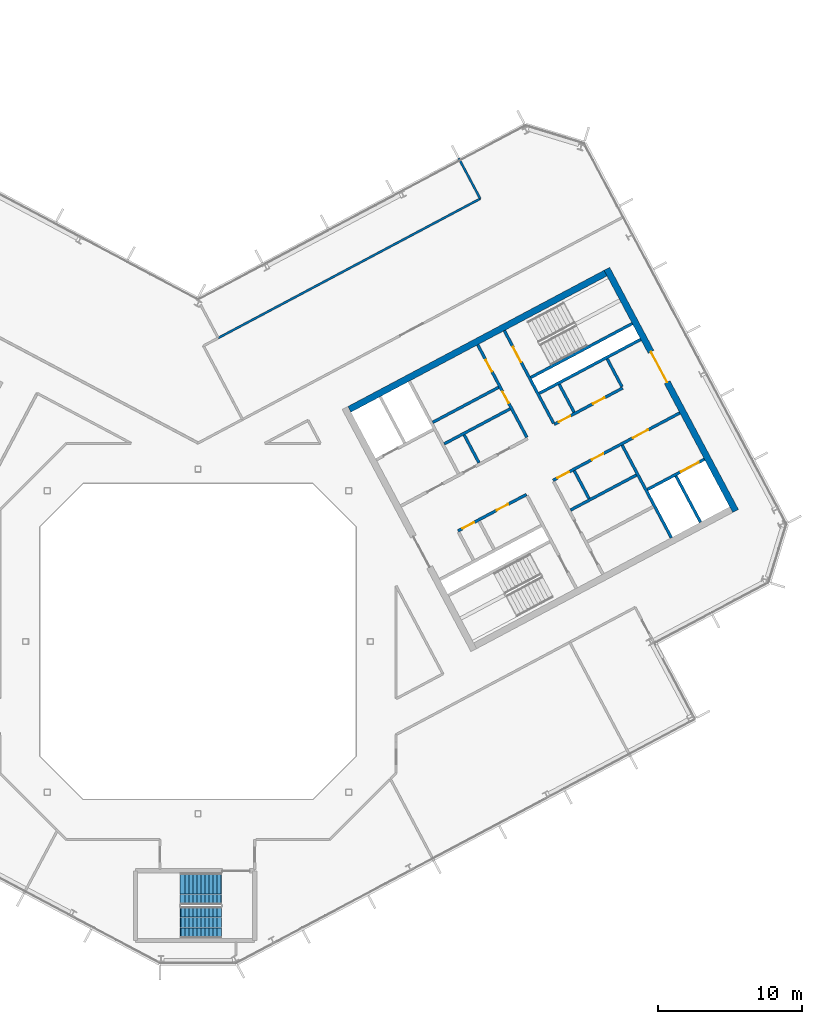
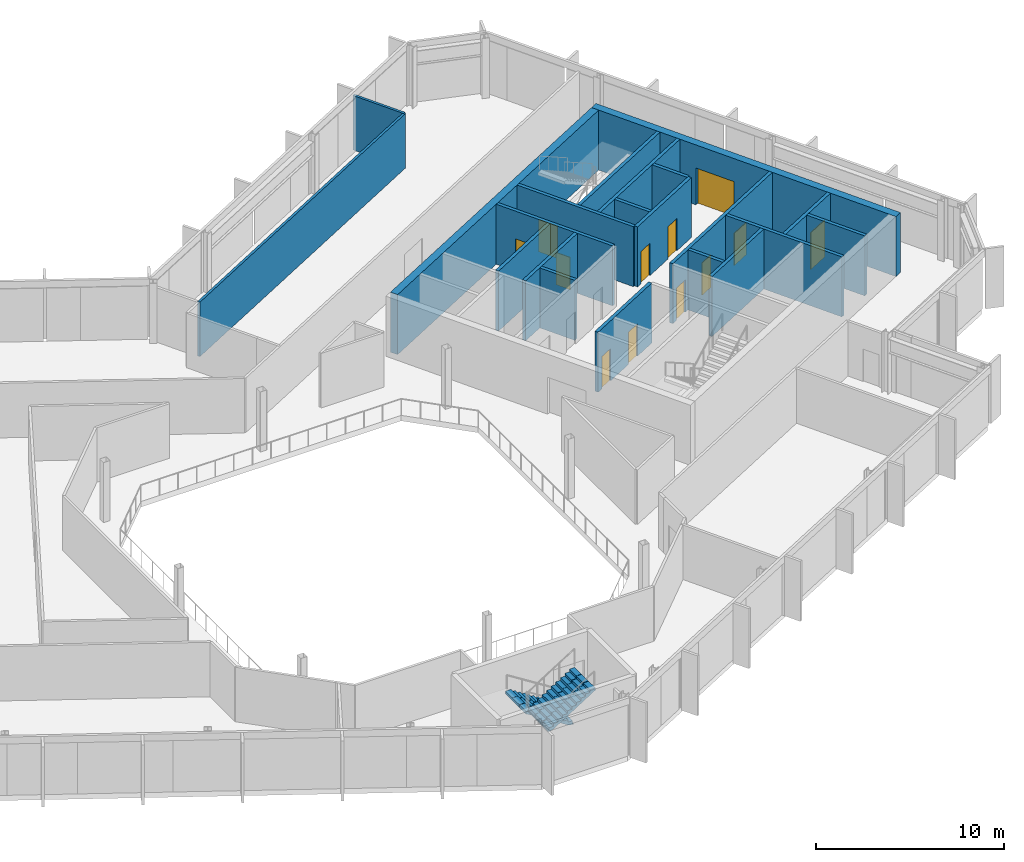
# One storey, part 16 of 25: 21 walls, 12 doors, 2 stair flights, 12 openings, 1 element without a shape of its own.
"""IFC4 building model written with IfcOpenShell, lengths in metres."""

from ifc_helpers import new_model, si_unit, direction, frame, frame_2d, origin, place, context, subcontext, project, spatial, polyline, rectangle, outline, extrude, material, layer, layer_set, type_object, element, fill, aggregate, save


model = new_model("IFC4")

# Units and contexts
model_context = context("Model", 3, precision=1e-05, world=origin(), true_north=direction((0.0, 1.0)))
body_context = subcontext(model_context, "Body", "Model", "MODEL_VIEW")
ifc_project = project(units=[si_unit("LENGTHUNIT", "METRE"), si_unit("AREAUNIT", "SQUARE_METRE"), si_unit("VOLUMEUNIT", "CUBIC_METRE"), si_unit("PLANEANGLEUNIT", "RADIAN"), si_unit("MASSUNIT", "GRAM", prefix="KILO")], contexts=[model_context])

# Site, building, storey
site_placement = place(None, origin())
site = spatial("IfcSite", under=ifc_project, at=site_placement, CompositionType="ELEMENT")
building_placement = place(site_placement, origin())
building = spatial("IfcBuilding", under=site, at=building_placement, Name="Cormorant Relay Tower", CompositionType="ELEMENT")
storey_placement = place(building_placement, frame((0.0, 0.0, 273.60009765625)))
storey = spatial("IfcBuildingStorey", under=building, at=storey_placement, Name="L61", CompositionType="ELEMENT", Elevation=273.60009765625)

# Walls
ifc_material_1 = material(Name="Concrete 40 MPa", Category="concrete")
ifc_layer_1 = layer(ifc_material_1, 0.199951171875)
ifc_layer_set_1 = layer_set([ifc_layer_1], Name="Core internal wall 200")
wall_type_1 = type_object("IfcWallType", Name="Core internal wall 200", PredefinedType="SOLIDWALL", material=ifc_layer_set_1)
for number, where, z_axis, x_axis, name in (
    (1, (19.568603515625, 12.443603515625, 0.0), (0.0, 0.0, 1.0), (-0.4694473164, 0.882960484464, 0.0), "L61 core B shaft and room wall"),
    (2, (27.236083984375, 9.951416015625, 0.0), (0.0, 0.0, 1.0), (-0.4694473164, 0.882960484464, 0.0), "L61 core B shaft and room wall"),
    (3, (26.19091796875, 15.964599609375, 0.0), (0.0, 0.0, 1.0), (-0.469533832133, 0.882914480843, 0.0), "L61 core B shaft and room wall"),
):
    element("IfcWall", number, at=place(storey_placement, frame(where, z_axis=z_axis, x_axis=x_axis)), inside=storey, type_object=wall_type_1, Name=name, PredefinedType="SOLIDWALL", context=body_context, shape_type="SweptSolid", body=[
        extrude(rectangle(XDim=2.199951171875, YDim=0.199951171875, at=frame_2d((1.10009765625, 0.0))), origin(), (0.0, 0.0, 1.0), 3.89990234375),
    ])
wall_1_placement = place(storey_placement, frame((16.3486328125, 15.26171875, 0.0), z_axis=(0.0, 0.0, 1.0), x_axis=(0.882953967957, 0.469459572775, 0.0)))
element("IfcWall", 4, at=wall_1_placement, inside=storey, type_object=wall_type_1, Name="L61 core B shaft and room wall", PredefinedType="SOLIDWALL", context=body_context, shape_type="SweptSolid", body=[
    extrude(rectangle(XDim=5.199951171875, YDim=0.199951171875, at=frame_2d((2.60009765625, 0.0))), origin(), (0.0, 0.0, 1.0), 3.89990234375),
])

# Wall, openings, doors
ifc_material_2 = material(Name="Concrete 50 MPa", Category="concrete")
ifc_layer_2 = layer(ifc_material_2, 0.199951171875)
ifc_layer_set_2 = layer_set([ifc_layer_2], Name="Core shaft wall 200")
wall_type_2 = type_object("IfcWallType", Name="Core shaft wall 200", PredefinedType="SHEAR", material=ifc_layer_set_2)
wall_2_placement = place(storey_placement, frame((22.90625, 14.218017578125, 0.0), z_axis=(0.0, 0.0, 1.0), x_axis=(-0.469480409012, 0.88294288918, 0.0)))
wall_2 = element("IfcWall", 5, at=wall_2_placement, inside=storey, type_object=wall_type_2, Name="L61 core B shaft wall", PredefinedType="SHEAR", context=body_context, shape_type="SweptSolid", body=[
    extrude(rectangle(XDim=7.300048828125, YDim=0.199951171875, at=frame_2d((3.64990234375, 0.0))), origin(), (0.0, 0.0, 1.0), 3.89990234375),
])
opening_1_placement = place(wall_2_placement, frame((2.699951171875, 0.0, 0.0)))
opening_1 = element("IfcOpeningElement", 6, at=opening_1_placement, cuts=wall_2, Name="Opening CDD-326", PredefinedType="OPENING", context=body_context, shape_type="SweptSolid", body=[
    extrude(rectangle(XDim=0.89990234375, YDim=2.10009765625, at=frame_2d((0.449951171875, 1.050048828125))), frame((0.0, 0.10986328125, 0.0), z_axis=(0.0, -1.0, 0.0), x_axis=(1.0, 0.0, 0.0)), (0.0, 0.0, 1.0), 0.219970703125),
])
opening_2_placement = place(wall_2_placement, frame((5.199951171875, 0.0, 0.0)))
opening_2 = element("IfcOpeningElement", 7, at=opening_2_placement, cuts=wall_2, Name="Opening CDD-327", PredefinedType="OPENING", context=body_context, shape_type="SweptSolid", body=[
    extrude(rectangle(XDim=0.89990234375, YDim=2.10009765625, at=frame_2d((0.449951171875, 1.050048828125))), frame((0.0, 0.10986328125, 0.0), z_axis=(0.0, -1.0, 0.0), x_axis=(1.0, 0.0, 0.0)), (0.0, 0.0, 1.0), 0.219970703125),
])
ifc_material_3 = material(Name="Steel fire door", Category="steel")
door_type_1 = type_object("IfcDoorType", Name="Core room door 900x2100", OperationType="SINGLE_SWING_LEFT", PredefinedType="DOOR", material=ifc_material_3)
door_1_placement = place(opening_1_placement, frame((0.89990234375, 0.0, 0.0), z_axis=(0.0, 0.0, 1.0), x_axis=(-1.0, 0.0, 0.0)))
door_1 = element("IfcDoor", 8, at=door_1_placement, inside=storey, type_object=door_type_1, Name="Core room door 900x2100", OperationType="SINGLE_SWING_LEFT", OverallHeight=2.10009765625, OverallWidth=0.89990234375, PredefinedType="DOOR", context=body_context, shape_type="SweptSolid", body=[
    extrude(rectangle(XDim=0.89990234375, YDim=2.10009765625, at=frame_2d((0.449951171875, 1.050048828125))), frame((0.0, 0.02490234375, 0.0), z_axis=(0.0, -1.0, 0.0), x_axis=(1.0, 0.0, 0.0)), (0.0, 0.0, 1.0), 0.050048828125),
])
fill(opening_1, door_1)
door_2_placement = place(opening_2_placement, frame((0.89990234375, 0.0, 0.0), z_axis=(0.0, 0.0, 1.0), x_axis=(-1.0, 0.0, 0.0)))
door_2 = element("IfcDoor", 9, at=door_2_placement, inside=storey, type_object=door_type_1, Name="Core room door 900x2100", OperationType="SINGLE_SWING_LEFT", OverallHeight=2.10009765625, OverallWidth=0.89990234375, PredefinedType="DOOR", context=body_context, shape_type="SweptSolid", body=[
    extrude(rectangle(XDim=0.89990234375, YDim=2.10009765625, at=frame_2d((0.449951171875, 1.050048828125))), frame((0.0, 0.02490234375, 0.0), z_axis=(0.0, -1.0, 0.0), x_axis=(1.0, 0.0, 0.0)), (0.0, 0.0, 1.0), 0.050048828125),
])
fill(opening_2, door_2)

# Wall, opening, door
wall_3_placement = place(storey_placement, frame((24.760498046875, 15.2041015625, 0.0), z_axis=(0.0, 0.0, 1.0), x_axis=(-0.469494272526, 0.882935517501, 0.0)))
wall_3 = element("IfcWall", 10, at=wall_3_placement, inside=storey, type_object=wall_type_2, Name="L61 core B shaft wall", PredefinedType="SHEAR", context=body_context, shape_type="SweptSolid", body=[
    extrude(rectangle(XDim=7.2998046875, YDim=0.199951171875, at=frame_2d((3.64990234375, 0.0))), origin(), (0.0, 0.0, 1.0), 3.89990234375),
])
opening_3_placement = place(wall_3_placement, frame((4.800048828125, 0.0, 0.0)))
opening_3 = element("IfcOpeningElement", 11, at=opening_3_placement, cuts=wall_3, Name="Opening CDB-041", PredefinedType="OPENING", context=body_context, shape_type="SweptSolid", body=[
    extrude(rectangle(XDim=1.199951171875, YDim=2.10009765625, at=frame_2d((0.60009765625, 1.050048828125))), frame((0.0, 0.10986328125, 0.0), z_axis=(0.0, -1.0, 0.0), x_axis=(1.0, 0.0, 0.0)), (0.0, 0.0, 1.0), 0.219970703125),
])
ifc_material_4 = material(Name="Steel fire door", Category="steel")
door_type_2 = type_object("IfcDoorType", Name="Core stair door 1200x2100", OperationType="SINGLE_SWING_LEFT", PredefinedType="DOOR", material=ifc_material_4)
door_3_placement = place(opening_3_placement, frame((1.199951171875, 0.0, 0.0), z_axis=(0.0, 0.0, 1.0), x_axis=(-1.0, 0.0, 0.0)))
door_3 = element("IfcDoor", 12, at=door_3_placement, inside=storey, type_object=door_type_2, Name="Core stair door 1200x2100", OperationType="SINGLE_SWING_RIGHT", OverallHeight=2.10009765625, OverallWidth=1.199951171875, PredefinedType="DOOR", context=body_context, shape_type="SweptSolid", body=[
    extrude(rectangle(XDim=1.199951171875, YDim=2.10009765625, at=frame_2d((0.60009765625, 1.050048828125))), frame((0.0, 0.02490234375, 0.0), z_axis=(0.0, -1.0, 0.0), x_axis=(1.0, 0.0, 0.0)), (0.0, 0.0, 1.0), 0.050048828125),
])
fill(opening_3, door_3)

# Walls
wall_4_placement = place(storey_placement, frame((32.968017578125, 7.222900390625, 0.0), z_axis=(0.0, 0.0, 1.0), x_axis=(-0.469480409012, 0.88294288918, 0.0)))
element("IfcWall", 13, at=wall_4_placement, inside=storey, type_object=wall_type_2, Name="L61 core B shaft wall", PredefinedType="SHEAR", context=body_context, shape_type="SweptSolid", body=[
    extrude(rectangle(XDim=7.300048828125, YDim=0.199951171875, at=frame_2d((3.64990234375, 0.0))), origin(), (0.0, 0.0, 1.0), 3.89990234375),
])
wall_5_placement = place(storey_placement, frame((29.5283203125, 17.739013671875, 0.0), z_axis=(0.0, 0.0, 1.0), x_axis=(-0.469401318492, 0.882984938828, 0.0)))
element("IfcWall", 14, at=wall_5_placement, inside=storey, type_object=wall_type_2, Name="L61 core B shaft wall", PredefinedType="SHEAR", context=body_context, shape_type="SweptSolid", body=[
    extrude(rectangle(XDim=2.199951171875, YDim=0.199951171875, at=frame_2d((1.10009765625, 0.0))), origin(), (0.0, 0.0, 1.0), 3.89990234375),
])
wall_6_placement = place(storey_placement, frame((34.998779296875, 8.302734375, 0.0), z_axis=(0.0, 0.0, 1.0), x_axis=(-0.4694665462, 0.882950260207, 0.0)))
element("IfcWall", 15, at=wall_6_placement, inside=storey, type_object=wall_type_2, Name="L61 core B shaft wall", PredefinedType="SHEAR", context=body_context, shape_type="SweptSolid", body=[
    extrude(rectangle(XDim=3.650146484375, YDim=0.199951171875, at=frame_2d((1.8251953125, 0.0))), origin(), (0.0, 0.0, 1.0), 3.89990234375),
])

# Wall, opening, door
wall_7_placement = place(storey_placement, frame((31.295654296875, 10.5810546875, 0.0), z_axis=(0.0, 0.0, 1.0), x_axis=(0.882960433586, 0.469447412093, 0.0)))
wall_7 = element("IfcWall", 16, at=wall_7_placement, inside=storey, type_object=wall_type_2, Name="L61 core B shaft wall", PredefinedType="SHEAR", context=body_context, shape_type="SweptSolid", body=[
    extrude(rectangle(XDim=4.5, YDim=0.199951171875, at=frame_2d((2.25, 0.0))), origin(), (0.0, 0.0, 1.0), 3.89990234375),
])
opening_4_placement = place(wall_7_placement, frame((2.64990234375, 0.0, 0.0)))
opening_4 = element("IfcOpeningElement", 17, at=opening_4_placement, cuts=wall_7, Name="Opening LD3-016", PredefinedType="OPENING", context=body_context, shape_type="SweptSolid", body=[
    extrude(rectangle(XDim=1.39990234375, YDim=2.39990234375, at=frame_2d((0.699951171875, 1.199951171875))), frame((0.0, 0.10986328125, 0.0), z_axis=(0.0, -1.0, 0.0), x_axis=(1.0, 0.0, 0.0)), (0.0, 0.0, 1.0), 0.219970703125),
])
ifc_material_5 = material(Name="Stainless steel 316", Category="steel")
door_type_3 = type_object("IfcDoorType", Name="Lift landing door 1400x2400", OperationType="DOUBLE_DOOR_SLIDING", PredefinedType="DOOR", material=ifc_material_5)
door_4_placement = place(opening_4_placement, origin())
door_4 = element("IfcDoor", 18, at=door_4_placement, inside=storey, type_object=door_type_3, Name="SV2 landing door", OperationType="DOUBLE_DOOR_SLIDING", OverallHeight=2.39990234375, OverallWidth=1.39990234375, PredefinedType="DOOR", context=body_context, shape_type="SweptSolid", body=[
    extrude(rectangle(XDim=1.39990234375, YDim=2.39990234375, at=frame_2d((0.699951171875, 1.199951171875))), frame((0.0, 0.02490234375, 0.0), z_axis=(0.0, -1.0, 0.0), x_axis=(1.0, 0.0, 0.0)), (0.0, 0.0, 1.0), 0.050048828125),
])
fill(opening_4, door_4)

# Wall
wall_8_placement = place(storey_placement, frame((25.94091796875, 9.149658203125, 0.0), z_axis=(0.0, 0.0, 1.0), x_axis=(0.882953967957, 0.469459572775, 0.0)))
element("IfcWall", 19, at=wall_8_placement, inside=storey, type_object=wall_type_2, Name="L61 core B shaft wall", PredefinedType="SHEAR", context=body_context, shape_type="SweptSolid", body=[
    extrude(rectangle(XDim=5.199951171875, YDim=0.199951171875, at=frame_2d((2.60009765625, 0.0))), origin(), (0.0, 0.0, 1.0), 3.89990234375),
])

# Wall, openings, doors
wall_9_placement = place(storey_placement, frame((18.103759765625, 7.70068359375, 0.0), z_axis=(0.0, 0.0, 1.0), x_axis=(0.882952937579, 0.469461510692, 0.0)))
wall_9 = element("IfcWall", 20, at=wall_9_placement, inside=storey, type_object=wall_type_2, Name="L61 core B shaft wall", PredefinedType="SHEAR", context=body_context, shape_type="SweptSolid", body=[
    extrude(rectangle(XDim=5.400146484375, YDim=0.199951171875, at=frame_2d((2.7001953125, 0.0))), origin(), (0.0, 0.0, 1.0), 3.89990234375),
])
opening_5_placement = place(wall_9_placement, frame((0.360107421875, 0.0, 0.0)))
opening_5 = element("IfcOpeningElement", 21, at=opening_5_placement, cuts=wall_9, Name="Opening CDD-245", PredefinedType="OPENING", context=body_context, shape_type="SweptSolid", body=[
    extrude(rectangle(XDim=0.89990234375, YDim=2.10009765625, at=frame_2d((0.449951171875, 1.050048828125))), frame((0.0, 0.10986328125, 0.0), z_axis=(0.0, -1.0, 0.0), x_axis=(1.0, 0.0, 0.0)), (0.0, 0.0, 1.0), 0.219970703125),
])
opening_6_placement = place(wall_9_placement, frame((3.06005859375, 0.0, 0.0)))
opening_6 = element("IfcOpeningElement", 22, at=opening_6_placement, cuts=wall_9, Name="Opening CDD-246", PredefinedType="OPENING", context=body_context, shape_type="SweptSolid", body=[
    extrude(rectangle(XDim=0.89990234375, YDim=2.10009765625, at=frame_2d((0.449951171875, 1.050048828125))), frame((0.0, 0.10986328125, 0.0), z_axis=(0.0, -1.0, 0.0), x_axis=(1.0, 0.0, 0.0)), (0.0, 0.0, 1.0), 0.219970703125),
])
door_5_placement = place(opening_5_placement, frame((0.89990234375, 0.0, 0.0), z_axis=(0.0, 0.0, 1.0), x_axis=(-1.0, 0.0, 0.0)))
door_5 = element("IfcDoor", 23, at=door_5_placement, inside=storey, type_object=door_type_1, Name="Core room door 900x2100", OperationType="SINGLE_SWING_RIGHT", OverallHeight=2.10009765625, OverallWidth=0.89990234375, PredefinedType="DOOR", context=body_context, shape_type="SweptSolid", body=[
    extrude(rectangle(XDim=0.89990234375, YDim=2.10009765625, at=frame_2d((0.449951171875, 1.050048828125))), frame((0.0, 0.02490234375, 0.0), z_axis=(0.0, -1.0, 0.0), x_axis=(1.0, 0.0, 0.0)), (0.0, 0.0, 1.0), 0.050048828125),
])
fill(opening_5, door_5)
door_6_placement = place(opening_6_placement, frame((0.89990234375, 0.0, 0.0), z_axis=(0.0, 0.0, 1.0), x_axis=(-1.0, 0.0, 0.0)))
door_6 = element("IfcDoor", 24, at=door_6_placement, inside=storey, type_object=door_type_1, Name="Core room door 900x2100", OperationType="SINGLE_SWING_RIGHT", OverallHeight=2.10009765625, OverallWidth=0.89990234375, PredefinedType="DOOR", context=body_context, shape_type="SweptSolid", body=[
    extrude(rectangle(XDim=0.89990234375, YDim=2.10009765625, at=frame_2d((0.449951171875, 1.050048828125))), frame((0.0, 0.02490234375, 0.0), z_axis=(0.0, -1.0, 0.0), x_axis=(1.0, 0.0, 0.0)), (0.0, 0.0, 1.0), 0.050048828125),
])
fill(opening_6, door_6)

wall_10_placement = place(storey_placement, frame((24.72607421875, 11.2216796875, 0.0), z_axis=(0.0, 0.0, 1.0), x_axis=(0.882940221191, 0.469485426614, 0.0)))
wall_10 = element("IfcWall", 25, at=wall_10_placement, inside=storey, type_object=wall_type_2, Name="L61 core B shaft wall", PredefinedType="SHEAR", context=body_context, shape_type="SweptSolid", body=[
    extrude(rectangle(XDim=10.0, YDim=0.199951171875, at=frame_2d((5.0, 0.0))), origin(), (0.0, 0.0, 1.0), 3.89990234375),
])
opening_7_placement = place(wall_10_placement, frame((6.300048828125, 0.0, 0.0)))
opening_7 = element("IfcOpeningElement", 26, at=opening_7_placement, cuts=wall_10, Name="Opening CDC-038", PredefinedType="OPENING", context=body_context, shape_type="SweptSolid", body=[
    extrude(rectangle(XDim=1.199951171875, YDim=2.10009765625, at=frame_2d((0.60009765625, 1.050048828125))), frame((0.0, 0.10986328125, 0.0), z_axis=(0.0, -1.0, 0.0), x_axis=(1.0, 0.0, 0.0)), (0.0, 0.0, 1.0), 0.219970703125),
])
opening_8_placement = place(wall_10_placement, frame((0.360107421875, 0.0, 0.0)))
opening_8 = element("IfcOpeningElement", 27, at=opening_8_placement, cuts=wall_10, Name="Opening CDD-247", PredefinedType="OPENING", context=body_context, shape_type="SweptSolid", body=[
    extrude(rectangle(XDim=0.89990234375, YDim=2.10009765625, at=frame_2d((0.449951171875, 1.050048828125))), frame((0.0, 0.10986328125, 0.0), z_axis=(0.0, -1.0, 0.0), x_axis=(1.0, 0.0, 0.0)), (0.0, 0.0, 1.0), 0.219970703125),
])
opening_9_placement = place(wall_10_placement, frame((3.06005859375, 0.0, 0.0)))
opening_9 = element("IfcOpeningElement", 28, at=opening_9_placement, cuts=wall_10, Name="Opening CDD-248", PredefinedType="OPENING", context=body_context, shape_type="SweptSolid", body=[
    extrude(rectangle(XDim=0.89990234375, YDim=2.10009765625, at=frame_2d((0.449951171875, 1.050048828125))), frame((0.0, 0.10986328125, 0.0), z_axis=(0.0, -1.0, 0.0), x_axis=(1.0, 0.0, 0.0)), (0.0, 0.0, 1.0), 0.219970703125),
])
ifc_material_6 = material(Name="Steel fire door", Category="steel")
door_type_4 = type_object("IfcDoorType", Name="Core lobby door 1200x2100", OperationType="SINGLE_SWING_LEFT", PredefinedType="DOOR", material=ifc_material_6)
door_7_placement = place(opening_7_placement, origin())
door_7 = element("IfcDoor", 29, at=door_7_placement, inside=storey, type_object=door_type_4, Name="Core lobby door 1200x2100", OperationType="SINGLE_SWING_LEFT", OverallHeight=2.10009765625, OverallWidth=1.199951171875, PredefinedType="DOOR", context=body_context, shape_type="SweptSolid", body=[
    extrude(rectangle(XDim=1.199951171875, YDim=2.10009765625, at=frame_2d((0.60009765625, 1.050048828125))), frame((0.0, 0.02490234375, 0.0), z_axis=(0.0, -1.0, 0.0), x_axis=(1.0, 0.0, 0.0)), (0.0, 0.0, 1.0), 0.050048828125),
])
fill(opening_7, door_7)
door_8_placement = place(opening_8_placement, frame((0.89990234375, 0.0, 0.0), z_axis=(0.0, 0.0, 1.0), x_axis=(-1.0, 0.0, 0.0)))
door_8 = element("IfcDoor", 30, at=door_8_placement, inside=storey, type_object=door_type_1, Name="Core room door 900x2100", OperationType="SINGLE_SWING_RIGHT", OverallHeight=2.10009765625, OverallWidth=0.89990234375, PredefinedType="DOOR", context=body_context, shape_type="SweptSolid", body=[
    extrude(rectangle(XDim=0.89990234375, YDim=2.10009765625, at=frame_2d((0.449951171875, 1.050048828125))), frame((0.0, 0.02490234375, 0.0), z_axis=(0.0, -1.0, 0.0), x_axis=(1.0, 0.0, 0.0)), (0.0, 0.0, 1.0), 0.050048828125),
])
fill(opening_8, door_8)
door_9_placement = place(opening_9_placement, frame((0.89990234375, 0.0, 0.0), z_axis=(0.0, 0.0, 1.0), x_axis=(-1.0, 0.0, 0.0)))
door_9 = element("IfcDoor", 31, at=door_9_placement, inside=storey, type_object=door_type_1, Name="Core room door 900x2100", OperationType="SINGLE_SWING_RIGHT", OverallHeight=2.10009765625, OverallWidth=0.89990234375, PredefinedType="DOOR", context=body_context, shape_type="SweptSolid", body=[
    extrude(rectangle(XDim=0.89990234375, YDim=2.10009765625, at=frame_2d((0.449951171875, 1.050048828125))), frame((0.0, 0.02490234375, 0.0), z_axis=(0.0, -1.0, 0.0), x_axis=(1.0, 0.0, 0.0)), (0.0, 0.0, 1.0), 0.050048828125),
])
fill(opening_9, door_9)

wall_11_placement = place(storey_placement, frame((24.807373046875, 15.11572265625, 0.0), z_axis=(0.0, 0.0, 1.0), x_axis=(0.882942972946, 0.469480251476, 0.0)))
wall_11 = element("IfcWall", 32, at=wall_11_placement, inside=storey, type_object=wall_type_2, Name="L61 core B shaft wall", PredefinedType="SHEAR", context=body_context, shape_type="SweptSolid", body=[
    extrude(rectangle(XDim=5.39990234375, YDim=0.199951171875, at=frame_2d((2.699951171875, 0.0))), origin(), (0.0, 0.0, 1.0), 3.89990234375),
])
opening_10_placement = place(wall_11_placement, frame((0.360107421875, 0.0, 0.0)))
opening_10 = element("IfcOpeningElement", 33, at=opening_10_placement, cuts=wall_11, Name="Opening CDD-273", PredefinedType="OPENING", context=body_context, shape_type="SweptSolid", body=[
    extrude(rectangle(XDim=0.89990234375, YDim=2.10009765625, at=frame_2d((0.449951171875, 1.050048828125))), frame((0.0, 0.10986328125, 0.0), z_axis=(0.0, -1.0, 0.0), x_axis=(1.0, 0.0, 0.0)), (0.0, 0.0, 1.0), 0.219970703125),
])
opening_11_placement = place(wall_11_placement, frame((3.06005859375, 0.0, 0.0)))
opening_11 = element("IfcOpeningElement", 34, at=opening_11_placement, cuts=wall_11, Name="Opening CDD-244", PredefinedType="OPENING", context=body_context, shape_type="SweptSolid", body=[
    extrude(rectangle(XDim=0.89990234375, YDim=2.10009765625, at=frame_2d((0.449951171875, 1.050048828125))), frame((0.0, 0.10986328125, 0.0), z_axis=(0.0, -1.0, 0.0), x_axis=(1.0, 0.0, 0.0)), (0.0, 0.0, 1.0), 0.219970703125),
])
door_10_placement = place(opening_10_placement, frame((0.89990234375, 0.0, 0.0), z_axis=(0.0, 0.0, 1.0), x_axis=(-1.0, 0.0, 0.0)))
door_10 = element("IfcDoor", 35, at=door_10_placement, inside=storey, type_object=door_type_1, Name="Core room door 900x2100", OperationType="SINGLE_SWING_RIGHT", OverallHeight=2.10009765625, OverallWidth=0.89990234375, PredefinedType="DOOR", context=body_context, shape_type="SweptSolid", body=[
    extrude(rectangle(XDim=0.89990234375, YDim=2.10009765625, at=frame_2d((0.449951171875, 1.050048828125))), frame((0.0, 0.02490234375, 0.0), z_axis=(0.0, -1.0, 0.0), x_axis=(1.0, 0.0, 0.0)), (0.0, 0.0, 1.0), 0.050048828125),
])
fill(opening_10, door_10)
door_11_placement = place(opening_11_placement, frame((0.89990234375, 0.0, 0.0), z_axis=(0.0, 0.0, 1.0), x_axis=(-1.0, 0.0, 0.0)))
door_11 = element("IfcDoor", 36, at=door_11_placement, inside=storey, type_object=door_type_1, Name="Core room door 900x2100", OperationType="SINGLE_SWING_RIGHT", OverallHeight=2.10009765625, OverallWidth=0.89990234375, PredefinedType="DOOR", context=body_context, shape_type="SweptSolid", body=[
    extrude(rectangle(XDim=0.89990234375, YDim=2.10009765625, at=frame_2d((0.449951171875, 1.050048828125))), frame((0.0, 0.02490234375, 0.0), z_axis=(0.0, -1.0, 0.0), x_axis=(1.0, 0.0, 0.0)), (0.0, 0.0, 1.0), 0.050048828125),
])
fill(opening_11, door_11)

# Walls
wall_12_placement = place(storey_placement, frame((17.146728515625, 13.7607421875, 0.0), z_axis=(0.0, 0.0, 1.0), x_axis=(0.882964314875, 0.469440111896, 0.0)))
element("IfcWall", 37, at=wall_12_placement, inside=storey, type_object=wall_type_2, Name="L61 core B shaft wall", PredefinedType="SHEAR", context=body_context, shape_type="SweptSolid", body=[
    extrude(rectangle(XDim=5.2001953125, YDim=0.199951171875, at=frame_2d((2.60009765625, 0.0))), origin(), (0.0, 0.0, 1.0), 3.89990234375),
])
wall_13_placement = place(storey_placement, frame((23.76904296875, 17.28173828125, 0.0), z_axis=(0.0, 0.0, 1.0), x_axis=(0.882940221191, 0.469485426614, 0.0)))
element("IfcWall", 38, at=wall_13_placement, inside=storey, type_object=wall_type_2, Name="L61 core B shaft wall", PredefinedType="SHEAR", context=body_context, shape_type="SweptSolid", body=[
    extrude(rectangle(XDim=8.0, YDim=0.199951171875, at=frame_2d((4.0, 0.0))), origin(), (0.0, 0.0, 1.0), 3.89990234375),
])
wall_14_placement = place(storey_placement, frame((23.18212890625, 18.385498046875, 0.0), z_axis=(0.0, 0.0, 1.0), x_axis=(0.88295287151, 0.469461634952, 0.0)))
element("IfcWall", 39, at=wall_14_placement, inside=storey, type_object=wall_type_2, Name="L61 core B shaft wall", PredefinedType="SHEAR", context=body_context, shape_type="SweptSolid", body=[
    extrude(rectangle(XDim=7.999755859375, YDim=0.199951171875, at=frame_2d((4.0, 0.0))), origin(), (0.0, 0.0, 1.0), 3.89990234375),
])

# Wall, opening, door
ifc_material_7 = material(Name="Concrete 50 MPa", Category="concrete")
ifc_layer_3 = layer(ifc_material_7, 0.449951171875)
ifc_layer_set_3 = layer_set([ifc_layer_3], Name="Core wall 450")
wall_type_3 = type_object("IfcWallType", Name="Core wall 450", PredefinedType="SHEAR", material=ifc_layer_set_3)
wall_15_placement = place(storey_placement, frame((37.439453125, 9.0908203125, 0.0), z_axis=(0.0, 0.0, 1.0), x_axis=(-0.469467968382, 0.882949504028, 0.0)))
wall_15 = element("IfcWall", 40, at=wall_15_placement, inside=storey, type_object=wall_type_3, Name="L61 core B wall", PredefinedType="SHEAR", context=body_context, shape_type="SweptSolid", body=[
    extrude(rectangle(XDim=19.099853515625, YDim=0.449951171875, at=frame_2d((9.5498046875, 0.0))), origin(), (0.0, 0.0, 1.0), 3.89990234375),
])
opening_12_placement = place(wall_15_placement, frame((10.14990234375, 0.0, 0.0)))
opening_12 = element("IfcOpeningElement", 41, at=opening_12_placement, cuts=wall_15, Name="Opening CDA-053", PredefinedType="OPENING", context=body_context, shape_type="SweptSolid", body=[
    extrude(rectangle(XDim=2.39990234375, YDim=2.39990234375, at=frame_2d((1.199951171875, 1.199951171875))), frame((0.0, 0.23486328125, 0.0), z_axis=(0.0, -1.0, 0.0), x_axis=(1.0, 0.0, 0.0)), (0.0, 0.0, 1.0), 0.469970703125),
])
ifc_material_8 = material(Name="Steel fire door", Category="steel")
door_type_5 = type_object("IfcDoorType", Name="Core lobby door 2400x2400", OperationType="DOUBLE_DOOR_SINGLE_SWING", PredefinedType="DOOR", material=ifc_material_8)
door_12_placement = place(opening_12_placement, origin())
door_12 = element("IfcDoor", 42, at=door_12_placement, inside=storey, type_object=door_type_5, Name="Core lobby door 2400x2400", OperationType="DOUBLE_DOOR_SINGLE_SWING", OverallHeight=2.39990234375, OverallWidth=2.39990234375, PredefinedType="DOOR", context=body_context, shape_type="SweptSolid", body=[
    extrude(rectangle(XDim=2.39990234375, YDim=2.39990234375, at=frame_2d((1.199951171875, 1.199951171875))), frame((0.0, 0.02490234375, 0.0), z_axis=(0.0, -1.0, 0.0), x_axis=(1.0, 0.0, 0.0)), (0.0, 0.0, 1.0), 0.050048828125),
])
fill(opening_12, door_12)

# Walls
wall_16_placement = place(storey_placement, frame((10.5439453125, 16.16748046875, 0.0), z_axis=(0.0, 0.0, 1.0), x_axis=(0.882947755831, 0.46947125628, 0.0)))
element("IfcWall", 43, at=wall_16_placement, inside=storey, type_object=wall_type_3, Name="L61 core B wall", PredefinedType="SHEAR", context=body_context, shape_type="SweptSolid", body=[
    extrude(rectangle(XDim=20.2001953125, YDim=0.449951171875, at=frame_2d((10.10009765625, 0.0))), origin(), (0.0, 0.0, 1.0), 3.89990234375),
])
ifc_material_9 = material(Name="Gypsum board partition")
ifc_layer_4 = layer(ifc_material_9, 0.14990234375)
ifc_layer_set_4 = layer_set([ifc_layer_4], Name="Tenant partition 150")
wall_type_4 = type_object("IfcWallType", Name="Tenant partition 150", PredefinedType="PARTITIONING", material=ifc_layer_set_4)
wall_17_placement = place(storey_placement, frame((1.405029296875, 21.133056640625, 0.0), z_axis=(0.0, 0.0, 1.0), x_axis=(0.882954791134, 0.469458024549, 0.0)))
element("IfcWall", 44, at=wall_17_placement, inside=storey, type_object=wall_type_4, Name="wall/L61/part/028", PredefinedType="PARTITIONING", context=body_context, shape_type="SweptSolid", body=[
    extrude(rectangle(XDim=20.67041015625, YDim=0.14990234375, at=frame_2d((10.335205078125, 0.0))), origin(), (0.0, 0.0, 1.0), 3.539794921875),
])
wall_18_placement = place(storey_placement, frame((19.656005859375, 30.8369140625, 0.0), z_axis=(0.0, 0.0, 1.0), x_axis=(-0.469289077813, 0.883044597654, 0.0)))
element("IfcWall", 45, at=wall_18_placement, inside=storey, type_object=wall_type_4, Name="wall/L61/part/029", PredefinedType="PARTITIONING", context=body_context, shape_type="SweptSolid", body=[
    extrude(rectangle(XDim=3.200439453125, YDim=0.14990234375, at=frame_2d((1.60009765625, 0.0))), origin(), (0.0, 0.0, 1.0), 3.539794921875),
])

# Stair, stair flights
ifc_material_10 = material(Name="Concrete 40 MPa", Category="concrete")
stair_type = type_object("IfcStairType", Name="Remote exit stair 2200", PredefinedType="HALF_TURN_STAIR", material=ifc_material_10)
stair_placement = place(storey_placement, origin())
stair = element("IfcStair", 46, at=stair_placement, inside=storey, type_object=stair_type, Name="L61 Stair", PredefinedType="HALF_TURN_STAIR")
ifc_material_11 = material(Name="Concrete 40 MPa", Category="concrete")
stair_flight_type = type_object("IfcStairFlightType", Name="Remote exit stair flight 2200", PredefinedType="STRAIGHT", material=ifc_material_11)
stair_flight_1_placement = place(storey_placement, frame((1.60009765625, -17.22509765625, 0.0), z_axis=(0.0, 0.0, 1.0), x_axis=(-1.0, 0.0, 0.0)))
stair_flight_1 = element("IfcStairFlight", 47, at=stair_flight_1_placement, type_object=stair_flight_type, Name="RK1 flight 1", NumberOfRisers=11, NumberOfTreads=10, PredefinedType="STRAIGHT", RiserHeight=0.177272727, TreadLength=0.28, context=body_context, shape_type="SweptSolid", body=[
    extrude(outline(polyline([(-0.050048828125, -0.080078125), (-0.050048828125, 0.0), (0.0, 0.0), (0.0, 0.17724609375), (0.280029296875, 0.17724609375), (0.280029296875, 0.3544921875), (0.56005859375, 0.3544921875), (0.56005859375, 0.53173828125), (0.840087890625, 0.53173828125), (0.840087890625, 0.708984375), (1.1201171875, 0.708984375), (1.1201171875, 0.886474609375), (1.39990234375, 0.886474609375), (1.39990234375, 1.063720703125), (1.679931640625, 1.063720703125), (1.679931640625, 1.240966796875), (1.9599609375, 1.240966796875), (1.9599609375, 1.418212890625), (2.239990234375, 1.418212890625), (2.239990234375, 1.595458984375), (2.52001953125, 1.595458984375), (2.52001953125, 1.772705078125), (2.800048828125, 1.772705078125), (2.85009765625, 1.772705078125), (2.85009765625, 1.59521484375), (2.800048828125, 1.59521484375), (0.2802734375, 0.0), (-0.050048828125, -0.080078125)])), frame((0.0, 1.10009765625, 0.0), z_axis=(0.0, -1.0, 0.0), x_axis=(1.0, 0.0, 0.0)), (0.0, 0.0, 1.0), 0.719970703125),
    extrude(outline(polyline([(-0.050048828125, -0.080078125), (-0.050048828125, 0.0), (0.0, 0.0), (0.0, 0.17724609375), (0.280029296875, 0.17724609375), (0.280029296875, 0.3544921875), (0.56005859375, 0.3544921875), (0.56005859375, 0.53173828125), (0.840087890625, 0.53173828125), (0.840087890625, 0.708984375), (1.1201171875, 0.708984375), (1.1201171875, 0.886474609375), (1.39990234375, 0.886474609375), (1.39990234375, 1.063720703125), (1.679931640625, 1.063720703125), (1.679931640625, 1.240966796875), (1.9599609375, 1.240966796875), (1.9599609375, 1.418212890625), (2.239990234375, 1.418212890625), (2.239990234375, 1.595458984375), (2.52001953125, 1.595458984375), (2.52001953125, 1.772705078125), (2.800048828125, 1.772705078125), (2.85009765625, 1.772705078125), (2.85009765625, 1.59521484375), (2.800048828125, 1.59521484375), (0.2802734375, 0.0), (-0.050048828125, -0.080078125)])), frame((0.0, 0.360107421875, 0.0), z_axis=(0.0, -1.0, 0.0), x_axis=(1.0, 0.0, 0.0)), (0.0, 0.0, 1.0), 0.719970703125),
    extrude(outline(polyline([(-0.050048828125, -0.080078125), (-0.050048828125, 0.0), (0.0, 0.0), (0.0, 0.17724609375), (0.280029296875, 0.17724609375), (0.280029296875, 0.3544921875), (0.56005859375, 0.3544921875), (0.56005859375, 0.53173828125), (0.840087890625, 0.53173828125), (0.840087890625, 0.708984375), (1.1201171875, 0.708984375), (1.1201171875, 0.886474609375), (1.39990234375, 0.886474609375), (1.39990234375, 1.063720703125), (1.679931640625, 1.063720703125), (1.679931640625, 1.240966796875), (1.9599609375, 1.240966796875), (1.9599609375, 1.418212890625), (2.239990234375, 1.418212890625), (2.239990234375, 1.595458984375), (2.52001953125, 1.595458984375), (2.52001953125, 1.772705078125), (2.800048828125, 1.772705078125), (2.85009765625, 1.772705078125), (2.85009765625, 1.59521484375), (2.800048828125, 1.59521484375), (0.2802734375, 0.0), (-0.050048828125, -0.080078125)])), frame((0.0, -0.3798828125, 0.0), z_axis=(0.0, -1.0, 0.0), x_axis=(1.0, 0.0, 0.0)), (0.0, 0.0, 1.0), 0.719970703125),
])
stair_flight_2_placement = place(storey_placement, frame((-1.199951171875, -19.574951171875, 1.949951171875), z_axis=(0.0, 0.0, 1.0), x_axis=(1.0, 0.0, 0.0)))
stair_flight_2 = element("IfcStairFlight", 48, at=stair_flight_2_placement, type_object=stair_flight_type, Name="RK1 flight 2", NumberOfRisers=11, NumberOfTreads=10, PredefinedType="STRAIGHT", RiserHeight=0.177272727, TreadLength=0.28, context=body_context, shape_type="SweptSolid", body=[
    extrude(outline(polyline([(-0.050048828125, -0.080078125), (-0.050048828125, 0.0), (0.0, 0.0), (0.0, 0.17724609375), (0.280029296875, 0.17724609375), (0.280029296875, 0.3544921875), (0.56005859375, 0.3544921875), (0.56005859375, 0.53173828125), (0.840087890625, 0.53173828125), (0.840087890625, 0.708984375), (1.1201171875, 0.708984375), (1.1201171875, 0.886474609375), (1.39990234375, 0.886474609375), (1.39990234375, 1.063720703125), (1.679931640625, 1.063720703125), (1.679931640625, 1.240966796875), (1.9599609375, 1.240966796875), (1.9599609375, 1.418212890625), (2.239990234375, 1.418212890625), (2.239990234375, 1.595458984375), (2.52001953125, 1.595458984375), (2.52001953125, 1.772705078125), (2.800048828125, 1.772705078125), (2.85009765625, 1.772705078125), (2.85009765625, 1.59521484375), (2.800048828125, 1.59521484375), (0.2802734375, 0.0), (-0.050048828125, -0.080078125)])), frame((0.0, 1.10009765625, 0.0), z_axis=(0.0, -1.0, 0.0), x_axis=(1.0, 0.0, 0.0)), (0.0, 0.0, 1.0), 0.719970703125),
    extrude(outline(polyline([(-0.050048828125, -0.080078125), (-0.050048828125, 0.0), (0.0, 0.0), (0.0, 0.17724609375), (0.280029296875, 0.17724609375), (0.280029296875, 0.3544921875), (0.56005859375, 0.3544921875), (0.56005859375, 0.53173828125), (0.840087890625, 0.53173828125), (0.840087890625, 0.708984375), (1.1201171875, 0.708984375), (1.1201171875, 0.886474609375), (1.39990234375, 0.886474609375), (1.39990234375, 1.063720703125), (1.679931640625, 1.063720703125), (1.679931640625, 1.240966796875), (1.9599609375, 1.240966796875), (1.9599609375, 1.418212890625), (2.239990234375, 1.418212890625), (2.239990234375, 1.595458984375), (2.52001953125, 1.595458984375), (2.52001953125, 1.772705078125), (2.800048828125, 1.772705078125), (2.85009765625, 1.772705078125), (2.85009765625, 1.59521484375), (2.800048828125, 1.59521484375), (0.2802734375, 0.0), (-0.050048828125, -0.080078125)])), frame((0.0, 0.360107421875, 0.0), z_axis=(0.0, -1.0, 0.0), x_axis=(1.0, 0.0, 0.0)), (0.0, 0.0, 1.0), 0.719970703125),
    extrude(outline(polyline([(-0.050048828125, -0.080078125), (-0.050048828125, 0.0), (0.0, 0.0), (0.0, 0.17724609375), (0.280029296875, 0.17724609375), (0.280029296875, 0.3544921875), (0.56005859375, 0.3544921875), (0.56005859375, 0.53173828125), (0.840087890625, 0.53173828125), (0.840087890625, 0.708984375), (1.1201171875, 0.708984375), (1.1201171875, 0.886474609375), (1.39990234375, 0.886474609375), (1.39990234375, 1.063720703125), (1.679931640625, 1.063720703125), (1.679931640625, 1.240966796875), (1.9599609375, 1.240966796875), (1.9599609375, 1.418212890625), (2.239990234375, 1.418212890625), (2.239990234375, 1.595458984375), (2.52001953125, 1.595458984375), (2.52001953125, 1.772705078125), (2.800048828125, 1.772705078125), (2.85009765625, 1.772705078125), (2.85009765625, 1.59521484375), (2.800048828125, 1.59521484375), (0.2802734375, 0.0), (-0.050048828125, -0.080078125)])), frame((0.0, -0.3798828125, 0.0), z_axis=(0.0, -1.0, 0.0), x_axis=(1.0, 0.0, 0.0)), (0.0, 0.0, 1.0), 0.719970703125),
])
aggregate(stair, [stair_flight_1, stair_flight_2])

save(model, "model.ifc")
